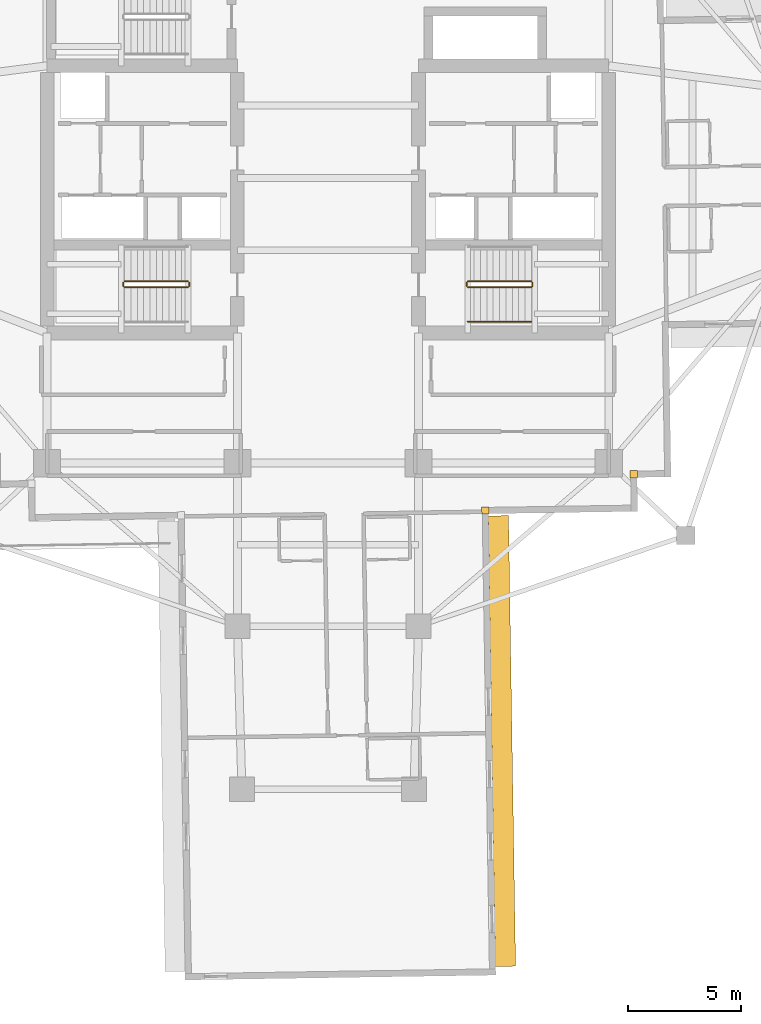
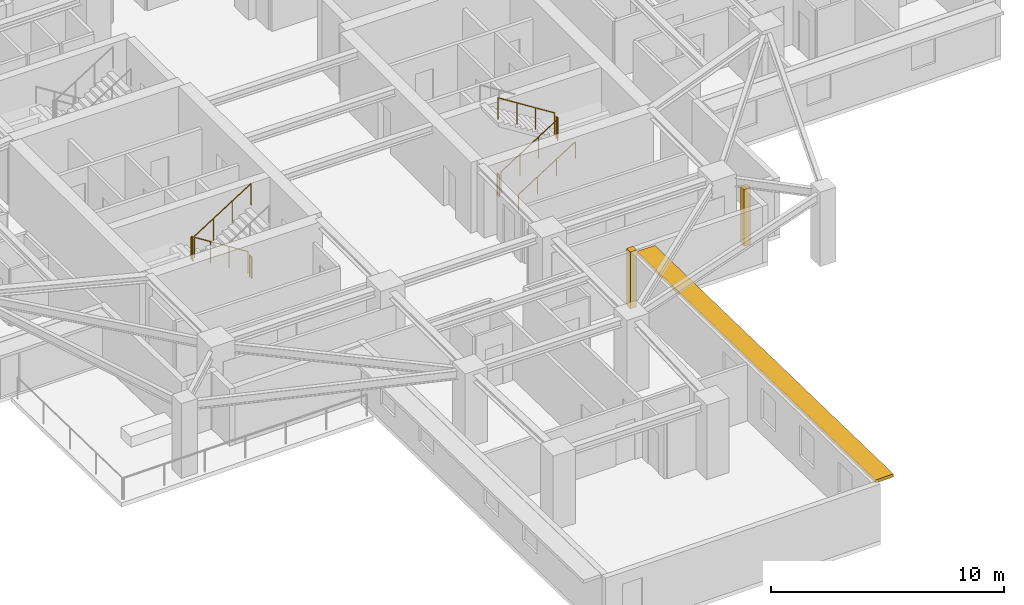
# One storey, part 11 of 14: 9 railings, 2 coverings, 1 shading device.
"""IFC4 building model written with IfcOpenShell, lengths in metres."""

from ifc_helpers import new_model, si_unit, direction, frame, origin, origin_2d, place, context, subcontext, project, spatial, rectangle, circle, extrude, material, layer, layer_set, type_object, element, save


model = new_model("IFC4")

# Units and contexts
model_context = context("Model", 3, precision=1e-05, world=origin(), true_north=direction((0.0, 1.0)))
body_context = subcontext(model_context, "Body", "Model", "MODEL_VIEW")
ifc_project = project(units=[si_unit("LENGTHUNIT", "METRE"), si_unit("AREAUNIT", "SQUARE_METRE"), si_unit("VOLUMEUNIT", "CUBIC_METRE"), si_unit("PLANEANGLEUNIT", "RADIAN"), si_unit("MASSUNIT", "GRAM", prefix="KILO")], contexts=[model_context])

# Site, building, storey
site_placement = place(None, origin())
site = spatial("IfcSite", under=ifc_project, at=site_placement, CompositionType="ELEMENT")
building_placement = place(site_placement, origin())
building = spatial("IfcBuilding", under=site, at=building_placement, Name="Qingluan Cross Belvedere", CompositionType="ELEMENT")
storey_placement = place(building_placement, frame((0.0, 0.0, 108.60009765625)))
storey = spatial("IfcBuildingStorey", under=building, at=storey_placement, Name="L27", CompositionType="ELEMENT", Elevation=108.60009765625)

# Coverings
ifc_material_1 = material(Name="Precast concrete C45", Category="concrete")
ifc_layer_1 = layer(ifc_material_1, 0.1201171875, Name="ConcreteSpandrelCladding_120")
ifc_layer_set_1 = layer_set([ifc_layer_1], Name="Precast concrete C45")
covering_type = type_object("IfcCoveringType", Name="ConcreteSpandrelCladding_120", PredefinedType="CLADDING", material=ifc_layer_set_1)
for number, where, z_axis, x_axis, name in (
    (1, (13.50732421875, -13.089599609375, 0.0), (0.0, 0.0, 1.0), (0.999876632482, 0.015707317312, 0.0), "Corner closure L27-SE1"),
    (2, (6.95166015625, -14.692626953125, 0.0), (0.0, 0.0, 1.0), (0.999876632482, 0.015707317312, 0.0), "Corner closure L27-SE2"),
):
    element("IfcCovering", number, at=place(storey_placement, frame(where, z_axis=z_axis, x_axis=x_axis)), inside=storey, type_object=covering_type, Name=name, PredefinedType="CLADDING", context=body_context, shape_type="SweptSolid", body=[
        extrude(rectangle(XDim=0.320068359375, YDim=0.320068359375, at=origin_2d()), origin(), (0.0, 0.0, 1.0), 2.969970703125),
    ])

# Shading device
ifc_material_2 = material(Name="Precast concrete C45", Category="concrete")
ifc_layer_2 = layer(ifc_material_2, 0.159912109375, Name="ConcreteSunshadeBand_900")
ifc_layer_set_2 = layer_set([ifc_layer_2], Name="Precast concrete C45")
shading_device_type = type_object("IfcShadingDeviceType", Name="ConcreteSunshadeBand_900", PredefinedType="USERDEFINED", material=ifc_layer_set_2)
shading_device_placement = place(storey_placement, frame((7.681640625, -24.872314453125, 2.7900390625), z_axis=(0.0, 0.0, 1.0), x_axis=(-0.015711457647, 0.999876567432, 0.0)))
element("IfcShadingDevice", 3, at=shading_device_placement, inside=storey, type_object=shading_device_type, Name="Concrete SUNSHADE L27-SB", ObjectType="SUNSHADE", PredefinedType="USERDEFINED", context=body_context, shape_type="SweptSolid", body=[
    extrude(rectangle(XDim=19.89990234375, YDim=0.89990234375, at=origin_2d()), origin(), (0.0, 0.0, 1.0), 0.159912109375),
])

# Railings
ifc_material_3 = material(Name="Brushed stainless steel tubular handrail", Category="steel")
railing_type_1 = type_object("IfcRailingType", Name="StairPitchHandrail_900", PredefinedType="HANDRAIL", material=ifc_material_3)
railing_1_placement = place(storey_placement, frame((6.179931640625, -6.35009765625, 0.17724609375)))
element("IfcRailing", 4, at=railing_1_placement, inside=storey, type_object=railing_type_1, Name="L27 ST2 stair handrail 1", PredefinedType="HANDRAIL", context=body_context, shape_type="SweptSolid", body=[
    extrude(circle(Radius=0.02392578125, at=origin_2d()), frame((0.0, 0.0, 0.8759765625), z_axis=(0.844908973607, 0.0, 0.534910110503), x_axis=(0.0, 1.0, 0.0)), (0.0, 0.0, 1.0), 3.31396484375),
    extrude(circle(Radius=0.02099609375, at=origin_2d()), origin(), (0.0, 0.0, 1.0), 0.851806640625),
    extrude(circle(Radius=0.02099609375, at=origin_2d()), frame((0.933349609375, 0.0, 0.5908203125)), (0.0, 0.0, 1.0), 0.851806640625),
    extrude(circle(Radius=0.02099609375, at=origin_2d()), frame((1.86669921875, 0.0, 1.181884765625)), (0.0, 0.0, 1.0), 0.851806640625),
    extrude(circle(Radius=0.02099609375, at=origin_2d()), frame((2.800048828125, 0.0, 1.772705078125)), (0.0, 0.0, 1.0), 0.851806640625),
])
ifc_material_4 = material(Name="Painted steel stair well guard", Category="steel")
railing_type_2 = type_object("IfcRailingType", Name="StairWellGuard_1150", PredefinedType="BALUSTRADE", material=ifc_material_4)
railing_2_placement = place(storey_placement, frame((-6.179931640625, -4.570068359375, 0.17724609375)))
element("IfcRailing", 5, at=railing_2_placement, inside=storey, type_object=railing_type_2, Name="L27 ST1 stair guard 1", PredefinedType="BALUSTRADE", context=body_context, shape_type="SweptSolid", body=[
    extrude(circle(Radius=0.02392578125, at=origin_2d()), frame((0.0, 0.0, 1.1259765625), z_axis=(-0.844908973607, 0.0, 0.534910110503), x_axis=(0.0, -1.0, 0.0)), (0.0, 0.0, 1.0), 3.31396484375),
    extrude(circle(Radius=0.02099609375, at=origin_2d()), origin(), (0.0, 0.0, 1.0), 1.101806640625),
    extrude(circle(Radius=0.02099609375, at=origin_2d()), frame((-0.933349609375, 0.0, 0.5908203125)), (0.0, 0.0, 1.0), 1.101806640625),
    extrude(circle(Radius=0.02099609375, at=origin_2d()), frame((-1.86669921875, 0.0, 1.181884765625)), (0.0, 0.0, 1.0), 1.101806640625),
    extrude(circle(Radius=0.02099609375, at=origin_2d()), frame((-2.800048828125, 0.0, 1.772705078125)), (0.0, 0.0, 1.0), 1.101806640625),
])
railing_3_placement = place(storey_placement, frame((-9.030029296875, -4.6201171875, 1.949951171875)))
element("IfcRailing", 6, at=railing_3_placement, inside=storey, type_object=railing_type_2, Name="L27 ST1 stair guard 2", PredefinedType="BALUSTRADE", context=body_context, shape_type="SweptSolid", body=[
    extrude(circle(Radius=0.02392578125, at=origin_2d()), frame((0.0, 0.0, 1.1259765625), z_axis=(0.0, -1.0, 0.0), x_axis=(1.0, 0.0, 0.0)), (0.0, 0.0, 1.0), 0.159912109375),
    extrude(circle(Radius=0.02099609375, at=origin_2d()), origin(), (0.0, 0.0, 1.0), 1.101806640625),
    extrude(circle(Radius=0.02099609375, at=origin_2d()), frame((0.0, -0.159912109375, 0.0)), (0.0, 0.0, 1.0), 1.101806640625),
])
railing_4_placement = place(storey_placement, frame((-8.97998046875, -4.830078125, 2.127197265625)))
element("IfcRailing", 7, at=railing_4_placement, inside=storey, type_object=railing_type_2, Name="L27 ST1 stair guard 3", PredefinedType="BALUSTRADE", context=body_context, shape_type="SweptSolid", body=[
    extrude(circle(Radius=0.02392578125, at=origin_2d()), frame((0.0, 0.0, 1.1259765625), z_axis=(0.844908973607, 0.0, 0.534910110503), x_axis=(0.0, 1.0, 0.0)), (0.0, 0.0, 1.0), 3.31396484375),
    extrude(circle(Radius=0.02099609375, at=origin_2d()), origin(), (0.0, 0.0, 1.0), 1.101806640625),
    extrude(circle(Radius=0.02099609375, at=origin_2d()), frame((0.933349609375, 0.0, 0.5908203125)), (0.0, 0.0, 1.0), 1.101806640625),
    extrude(circle(Radius=0.02099609375, at=origin_2d()), frame((1.86669921875, 0.0, 1.181884765625)), (0.0, 0.0, 1.0), 1.101806640625),
    extrude(circle(Radius=0.02099609375, at=origin_2d()), frame((2.800048828125, 0.0, 1.772705078125)), (0.0, 0.0, 1.0), 1.101806640625),
])
railing_5_placement = place(storey_placement, frame((-6.1298828125, -4.6201171875, 0.0)))
element("IfcRailing", 8, at=railing_5_placement, inside=storey, type_object=railing_type_2, Name="L27 ST1 stair guard 4", PredefinedType="BALUSTRADE", context=body_context, shape_type="SweptSolid", body=[
    extrude(circle(Radius=0.02392578125, at=origin_2d()), frame((0.0, 0.0, 1.1259765625), z_axis=(0.0, -1.0, 0.0), x_axis=(1.0, 0.0, 0.0)), (0.0, 0.0, 1.0), 0.159912109375),
    extrude(circle(Radius=0.02099609375, at=origin_2d()), origin(), (0.0, 0.0, 1.0), 1.101806640625),
    extrude(circle(Radius=0.02099609375, at=origin_2d()), frame((0.0, -0.159912109375, 0.0)), (0.0, 0.0, 1.0), 1.101806640625),
])
railing_6_placement = place(storey_placement, frame((6.179931640625, -4.830078125, 0.17724609375)))
element("IfcRailing", 9, at=railing_6_placement, inside=storey, type_object=railing_type_2, Name="L27 ST2 stair guard 1", PredefinedType="BALUSTRADE", context=body_context, shape_type="SweptSolid", body=[
    extrude(circle(Radius=0.02392578125, at=origin_2d()), frame((0.0, 0.0, 1.1259765625), z_axis=(0.844908973607, 0.0, 0.534910110503), x_axis=(0.0, 1.0, 0.0)), (0.0, 0.0, 1.0), 3.31396484375),
    extrude(circle(Radius=0.02099609375, at=origin_2d()), origin(), (0.0, 0.0, 1.0), 1.101806640625),
    extrude(circle(Radius=0.02099609375, at=origin_2d()), frame((0.933349609375, 0.0, 0.5908203125)), (0.0, 0.0, 1.0), 1.101806640625),
    extrude(circle(Radius=0.02099609375, at=origin_2d()), frame((1.86669921875, 0.0, 1.181884765625)), (0.0, 0.0, 1.0), 1.101806640625),
    extrude(circle(Radius=0.02099609375, at=origin_2d()), frame((2.800048828125, 0.0, 1.772705078125)), (0.0, 0.0, 1.0), 1.101806640625),
])
railing_7_placement = place(storey_placement, frame((9.030029296875, -4.780029296875, 1.949951171875)))
element("IfcRailing", 10, at=railing_7_placement, inside=storey, type_object=railing_type_2, Name="L27 ST2 stair guard 2", PredefinedType="BALUSTRADE", context=body_context, shape_type="SweptSolid", body=[
    extrude(circle(Radius=0.02392578125, at=origin_2d()), frame((0.0, 0.0, 1.1259765625), z_axis=(0.0, 1.0, 0.0), x_axis=(-1.0, 0.0, 0.0)), (0.0, 0.0, 1.0), 0.159912109375),
    extrude(circle(Radius=0.02099609375, at=origin_2d()), origin(), (0.0, 0.0, 1.0), 1.101806640625),
    extrude(circle(Radius=0.02099609375, at=origin_2d()), frame((0.0, 0.159912109375, 0.0)), (0.0, 0.0, 1.0), 1.101806640625),
])
railing_8_placement = place(storey_placement, frame((8.97998046875, -4.570068359375, 2.127197265625)))
element("IfcRailing", 11, at=railing_8_placement, inside=storey, type_object=railing_type_2, Name="L27 ST2 stair guard 3", PredefinedType="BALUSTRADE", context=body_context, shape_type="SweptSolid", body=[
    extrude(circle(Radius=0.02392578125, at=origin_2d()), frame((0.0, 0.0, 1.1259765625), z_axis=(-0.844908973607, 0.0, 0.534910110503), x_axis=(0.0, -1.0, 0.0)), (0.0, 0.0, 1.0), 3.31396484375),
    extrude(circle(Radius=0.02099609375, at=origin_2d()), origin(), (0.0, 0.0, 1.0), 1.101806640625),
    extrude(circle(Radius=0.02099609375, at=origin_2d()), frame((-0.933349609375, 0.0, 0.5908203125)), (0.0, 0.0, 1.0), 1.101806640625),
    extrude(circle(Radius=0.02099609375, at=origin_2d()), frame((-1.86669921875, 0.0, 1.181884765625)), (0.0, 0.0, 1.0), 1.101806640625),
    extrude(circle(Radius=0.02099609375, at=origin_2d()), frame((-2.800048828125, 0.0, 1.772705078125)), (0.0, 0.0, 1.0), 1.101806640625),
])
railing_9_placement = place(storey_placement, frame((6.1298828125, -4.780029296875, 0.0)))
element("IfcRailing", 12, at=railing_9_placement, inside=storey, type_object=railing_type_2, Name="L27 ST2 stair guard 4", PredefinedType="BALUSTRADE", context=body_context, shape_type="SweptSolid", body=[
    extrude(circle(Radius=0.02392578125, at=origin_2d()), frame((0.0, 0.0, 1.1259765625), z_axis=(0.0, 1.0, 0.0), x_axis=(-1.0, 0.0, 0.0)), (0.0, 0.0, 1.0), 0.159912109375),
    extrude(circle(Radius=0.02099609375, at=origin_2d()), origin(), (0.0, 0.0, 1.0), 1.101806640625),
    extrude(circle(Radius=0.02099609375, at=origin_2d()), frame((0.0, 0.159912109375, 0.0)), (0.0, 0.0, 1.0), 1.101806640625),
])

save(model, "model.ifc")
